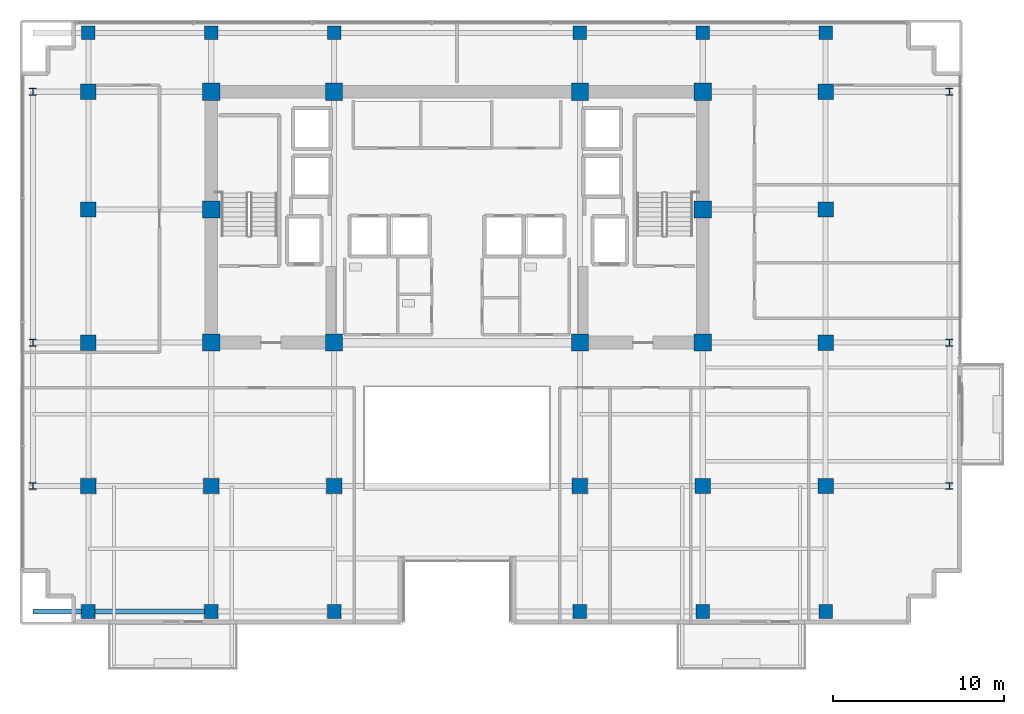
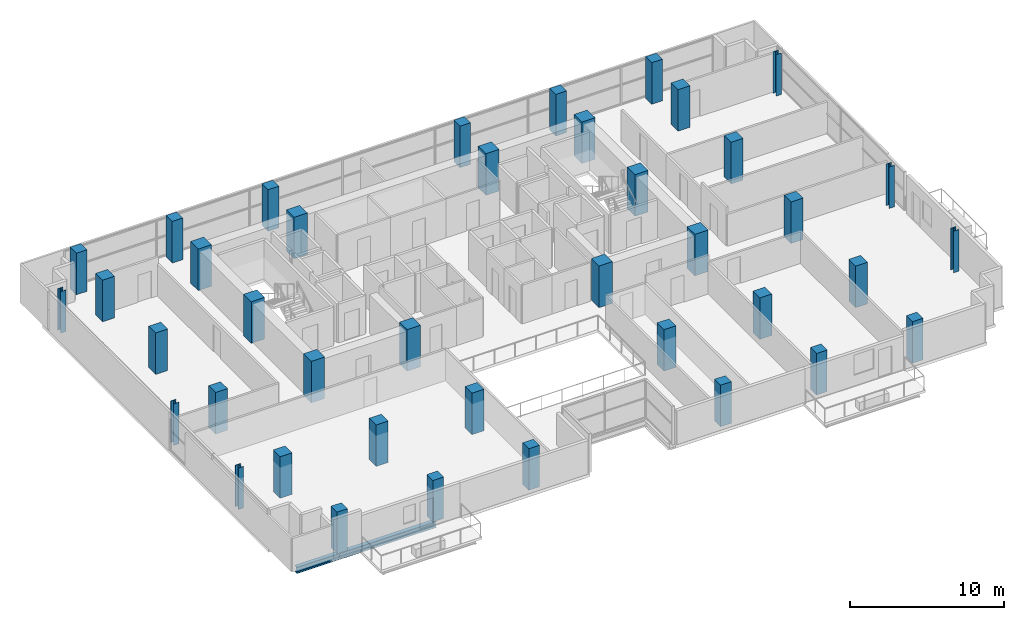
# One storey, part 1 of 24: 40 columns, 2 beams.
"""IFC4 building model written with IfcOpenShell, lengths in metres."""

from ifc_helpers import new_model, si_unit, direction, frame, origin, origin_2d, place, context, subcontext, project, spatial, rectangle, i_section, extrude, material, material_profile, profile_set, type_object, element, save


model = new_model("IFC4")

# Units and contexts
model_context = context("Model", 3, precision=1e-05, world=origin(), true_north=direction((0.0, 1.0)))
body_context = subcontext(model_context, "Body", "Model", "MODEL_VIEW")
ifc_project = project(units=[si_unit("LENGTHUNIT", "METRE"), si_unit("AREAUNIT", "SQUARE_METRE"), si_unit("VOLUMEUNIT", "CUBIC_METRE"), si_unit("PLANEANGLEUNIT", "RADIAN"), si_unit("MASSUNIT", "GRAM", prefix="KILO")], contexts=[model_context])

# Site, building, storey
site_placement = place(None, origin())
site = spatial("IfcSite", under=ifc_project, at=site_placement, CompositionType="ELEMENT")
building_placement = place(site_placement, origin())
building = spatial("IfcBuilding", under=site, at=building_placement, Name="Zarnakvel Exchange Tower", CompositionType="ELEMENT")
storey_placement = place(building_placement, frame((0.0, 0.0, 133.0)))
storey = spatial("IfcBuildingStorey", under=building, at=storey_placement, Name="L37", CompositionType="ELEMENT", Elevation=133.0)

# Columns
ifc_material_1 = material(Name="Concrete C60/75", Category="concrete")
ifc_material_profile_1 = material_profile(ifc_material_1, rectangle(XDim=1.0, YDim=1.0, at=origin_2d()))
ifc_profile_set_1 = profile_set([ifc_material_profile_1], Name="Concrete C60/75")
column_type_1 = type_object("IfcColumnType", Name="CC-02", PredefinedType="COLUMN", material=ifc_profile_set_1)
for number, where, z_axis, x_axis, name in (
    (1, (-14.39990234375, -1.199951171875, 0.0), (0.0, 0.0, 1.0), (1.0, 0.0, 0.0), "L37 Column C-4D (CC-02)"),
    (2, (-7.199951171875, -1.199951171875, 0.0), (0.0, 0.0, 1.0), (1.0, 0.0, 0.0), "L37 Column C-5D (CC-02)"),
    (3, (7.199951171875, -1.199951171875, 0.0), (0.0, 0.0, 1.0), (1.0, 0.0, 0.0), "L37 Column C-8D (CC-02)"),
    (4, (14.39990234375, -1.199951171875, 0.0), (0.0, 0.0, 1.0), (1.0, 0.0, 0.0), "L37 Column C-9D (CC-02)"),
    (5, (-14.39990234375, 6.60009765625, 0.0), (0.0, 0.0, 1.0), (1.0, 0.0, 0.0), "L37 Column C-4E (CC-02)"),
    (6, (14.39990234375, 6.60009765625, 0.0), (0.0, 0.0, 1.0), (1.0, 0.0, 0.0), "L37 Column C-9E (CC-02)"),
    (7, (-14.39990234375, 13.5, 0.0), (0.0, 0.0, 1.0), (1.0, 0.0, 0.0), "L37 Column C-4F (CC-02)"),
    (8, (-7.199951171875, 13.5, 0.0), (0.0, 0.0, 1.0), (1.0, 0.0, 0.0), "L37 Column C-5F (CC-02)"),
    (9, (7.199951171875, 13.5, 0.0), (0.0, 0.0, 1.0), (1.0, 0.0, 0.0), "L37 Column C-8F (CC-02)"),
    (10, (14.39990234375, 13.5, 0.0), (0.0, 0.0, 1.0), (1.0, 0.0, 0.0), "L37 Column C-9F (CC-02)"),
):
    element("IfcColumn", number, at=place(storey_placement, frame(where, z_axis=z_axis, x_axis=x_axis)), inside=storey, type_object=column_type_1, Name=name, PredefinedType="COLUMN", context=body_context, shape_type="SweptSolid", body=[
        extrude(rectangle(XDim=1.0, YDim=1.0, at=origin_2d()), origin(), (0.0, 0.0, 1.0), 3.300048828125),
    ])
ifc_material_2 = material(Name="Steel S355", Category="steel")
ifc_material_profile_2 = material_profile(ifc_material_2, i_section(OverallWidth=0.404052734375, OverallDepth=0.406982421875, WebThickness=0.0224609375, FlangeThickness=0.031982421875, FilletRadius=0.014892578125, at=origin_2d()))
ifc_profile_set_2 = profile_set([ifc_material_profile_2], Name="Steel S355")
column_type_2 = type_object("IfcColumnType", Name="SC-02", PredefinedType="COLUMN", material=ifc_profile_set_2)
for number, where, z_axis, x_axis, name in (
    (11, (-24.85009765625, -9.60009765625, 0.0), (0.0, 0.0, 1.0), (1.0, 0.0, 0.0), "L37 Column TW-C (SC-02)"),
    (12, (28.85009765625, -9.60009765625, 0.0), (0.0, 0.0, 1.0), (1.0, 0.0, 0.0), "L37 Column TE-C (SC-02)"),
    (13, (-24.85009765625, -1.199951171875, 0.0), (0.0, 0.0, 1.0), (1.0, 0.0, 0.0), "L37 Column TW-D (SC-02)"),
    (14, (28.85009765625, -1.199951171875, 0.0), (0.0, 0.0, 1.0), (1.0, 0.0, 0.0), "L37 Column TE-D (SC-02)"),
    (15, (-24.85009765625, 13.5, 0.0), (0.0, 0.0, 1.0), (1.0, 0.0, 0.0), "L37 Column TW-F (SC-02)"),
    (16, (28.85009765625, 13.5, 0.0), (0.0, 0.0, 1.0), (1.0, 0.0, 0.0), "L37 Column TE-F (SC-02)"),
):
    element("IfcColumn", number, at=place(storey_placement, frame(where, z_axis=z_axis, x_axis=x_axis)), inside=storey, type_object=column_type_2, Name=name, PredefinedType="COLUMN", context=body_context, shape_type="SweptSolid", body=[
        extrude(i_section(OverallWidth=0.404052734375, OverallDepth=0.406982421875, WebThickness=0.0224609375, FlangeThickness=0.031982421875, FilletRadius=0.014892578125, at=origin_2d()), origin(), (0.0, 0.0, 1.0), 3.300048828125),
    ])
ifc_material_profile_3 = material_profile(ifc_material_1, rectangle(XDim=0.89990234375, YDim=0.89990234375, at=origin_2d()))
ifc_profile_set_3 = profile_set([ifc_material_profile_3], Name="Concrete C60/75")
column_type_3 = type_object("IfcColumnType", Name="TC-02", PredefinedType="COLUMN", material=ifc_profile_set_3)
for number, where, z_axis, x_axis, name in (
    (17, (-14.39990234375, -9.60009765625, 0.0), (0.0, 0.0, 1.0), (1.0, 0.0, 0.0), "L37 Column T-4C (TC-02)"),
    (18, (-7.199951171875, -9.60009765625, 0.0), (0.0, 0.0, 1.0), (1.0, 0.0, 0.0), "L37 Column T-5C (TC-02)"),
    (19, (7.199951171875, -9.60009765625, 0.0), (0.0, 0.0, 1.0), (1.0, 0.0, 0.0), "L37 Column T-8C (TC-02)"),
    (20, (14.39990234375, -9.60009765625, 0.0), (0.0, 0.0, 1.0), (1.0, 0.0, 0.0), "L37 Column T-9C (TC-02)"),
    (21, (-21.60009765625, -9.60009765625, 0.0), (0.0, 0.0, 1.0), (1.0, 0.0, 0.0), "L37 Column T-3C (TC-02)"),
    (22, (-21.60009765625, -1.199951171875, 0.0), (0.0, 0.0, 1.0), (1.0, 0.0, 0.0), "L37 Column T-3D (TC-02)"),
    (23, (-21.60009765625, 6.60009765625, 0.0), (0.0, 0.0, 1.0), (1.0, 0.0, 0.0), "L37 Column T-3E (TC-02)"),
    (24, (-21.60009765625, 13.5, 0.0), (0.0, 0.0, 1.0), (1.0, 0.0, 0.0), "L37 Column T-3F (TC-02)"),
    (25, (21.60009765625, -9.60009765625, 0.0), (0.0, 0.0, 1.0), (1.0, 0.0, 0.0), "L37 Column T-10C (TC-02)"),
    (26, (21.60009765625, -1.199951171875, 0.0), (0.0, 0.0, 1.0), (1.0, 0.0, 0.0), "L37 Column T-10D (TC-02)"),
    (27, (21.60009765625, 6.60009765625, 0.0), (0.0, 0.0, 1.0), (1.0, 0.0, 0.0), "L37 Column T-10E (TC-02)"),
    (28, (21.60009765625, 13.5, 0.0), (0.0, 0.0, 1.0), (1.0, 0.0, 0.0), "L37 Column T-10F (TC-02)"),
):
    element("IfcColumn", number, at=place(storey_placement, frame(where, z_axis=z_axis, x_axis=x_axis)), inside=storey, type_object=column_type_3, Name=name, PredefinedType="COLUMN", context=body_context, shape_type="SweptSolid", body=[
        extrude(rectangle(XDim=0.89990234375, YDim=0.89990234375, at=origin_2d()), origin(), (0.0, 0.0, 1.0), 3.300048828125),
    ])
ifc_material_profile_4 = material_profile(ifc_material_1, rectangle(XDim=0.800048828125, YDim=0.800048828125, at=origin_2d()))
ifc_profile_set_4 = profile_set([ifc_material_profile_4], Name="Concrete C60/75")
column_type_4 = type_object("IfcColumnType", Name="TC-03", PredefinedType="COLUMN", material=ifc_profile_set_4)
for number, where, z_axis, x_axis, name in (
    (29, (-14.39990234375, -16.949951171875, 0.0), (0.0, 0.0, 1.0), (1.0, 0.0, 0.0), "L37 Column TS-4 (TC-03)"),
    (30, (-14.39990234375, 16.949951171875, 0.0), (0.0, 0.0, 1.0), (1.0, 0.0, 0.0), "L37 Column TN-4 (TC-03)"),
    (31, (-7.199951171875, -16.949951171875, 0.0), (0.0, 0.0, 1.0), (1.0, 0.0, 0.0), "L37 Column TS-5 (TC-03)"),
    (32, (-7.199951171875, 16.949951171875, 0.0), (0.0, 0.0, 1.0), (1.0, 0.0, 0.0), "L37 Column TN-5 (TC-03)"),
    (33, (7.199951171875, -16.949951171875, 0.0), (0.0, 0.0, 1.0), (1.0, 0.0, 0.0), "L37 Column TS-8 (TC-03)"),
    (34, (7.199951171875, 16.949951171875, 0.0), (0.0, 0.0, 1.0), (1.0, 0.0, 0.0), "L37 Column TN-8 (TC-03)"),
    (35, (14.39990234375, -16.949951171875, 0.0), (0.0, 0.0, 1.0), (1.0, 0.0, 0.0), "L37 Column TS-9 (TC-03)"),
    (36, (14.39990234375, 16.949951171875, 0.0), (0.0, 0.0, 1.0), (1.0, 0.0, 0.0), "L37 Column TN-9 (TC-03)"),
    (37, (-21.60009765625, -16.949951171875, 0.0), (0.0, 0.0, 1.0), (1.0, 0.0, 0.0), "L37 Column TS-3 (TC-03)"),
    (38, (-21.60009765625, 16.949951171875, 0.0), (0.0, 0.0, 1.0), (1.0, 0.0, 0.0), "L37 Column TN-3 (TC-03)"),
    (39, (21.60009765625, -16.949951171875, 0.0), (0.0, 0.0, 1.0), (1.0, 0.0, 0.0), "L37 Column TS-10 (TC-03)"),
    (40, (21.60009765625, 16.949951171875, 0.0), (0.0, 0.0, 1.0), (1.0, 0.0, 0.0), "L37 Column TN-10 (TC-03)"),
):
    element("IfcColumn", number, at=place(storey_placement, frame(where, z_axis=z_axis, x_axis=x_axis)), inside=storey, type_object=column_type_4, Name=name, PredefinedType="COLUMN", context=body_context, shape_type="SweptSolid", body=[
        extrude(rectangle(XDim=0.800048828125, YDim=0.800048828125, at=origin_2d()), origin(), (0.0, 0.0, 1.0), 3.300048828125),
    ])

# Beams
ifc_material_profile_5 = material_profile(ifc_material_2, i_section(OverallWidth=0.300048828125, OverallDepth=0.5, WebThickness=0.014404296875, FlangeThickness=0.028076171875, FilletRadius=0.027099609375, at=origin_2d()))
ifc_profile_set_5 = profile_set([ifc_material_profile_5], Name="Steel S355")
beam_type = type_object("IfcBeamType", Name="SP-02", PredefinedType="SPANDREL", material=ifc_profile_set_5)
beam_1_placement = place(storey_placement, frame((-21.60009765625, -16.949951171875, -0.47509765625), z_axis=(1.0, 0.0, 0.0), x_axis=(0.0, 1.0, 0.0)))
element("IfcBeam", 41, at=beam_1_placement, inside=storey, type_object=beam_type, Name="L37 Tower E-W Frame Beam", PredefinedType="SPANDREL", context=body_context, shape_type="SweptSolid", body=[
    extrude(i_section(OverallWidth=0.300048828125, OverallDepth=0.5, WebThickness=0.014404296875, FlangeThickness=0.028076171875, FilletRadius=0.027099609375, at=origin_2d()), origin(), (0.0, 0.0, 1.0), 7.2001953125),
])
beam_2_placement = place(storey_placement, frame((-24.85009765625, -16.949951171875, -0.47509765625), z_axis=(1.0, 0.0, 0.0), x_axis=(0.0, 1.0, 0.0)))
element("IfcBeam", 42, at=beam_2_placement, inside=storey, type_object=beam_type, Name="L37 South-West Corner Spandrel", PredefinedType="SPANDREL", context=body_context, shape_type="SweptSolid", body=[
    extrude(i_section(OverallWidth=0.300048828125, OverallDepth=0.5, WebThickness=0.014404296875, FlangeThickness=0.028076171875, FilletRadius=0.027099609375, at=origin_2d()), origin(), (0.0, 0.0, 1.0), 3.25),
])

save(model, "model.ifc")
